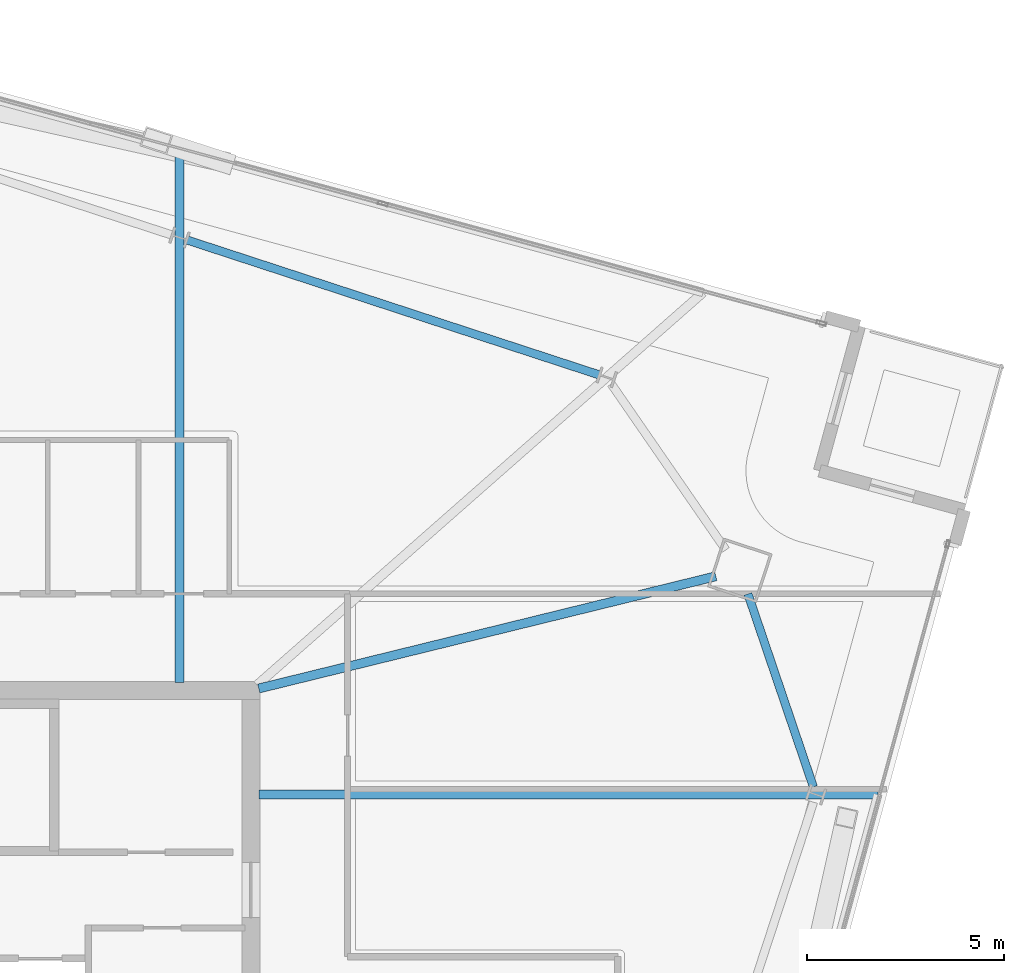
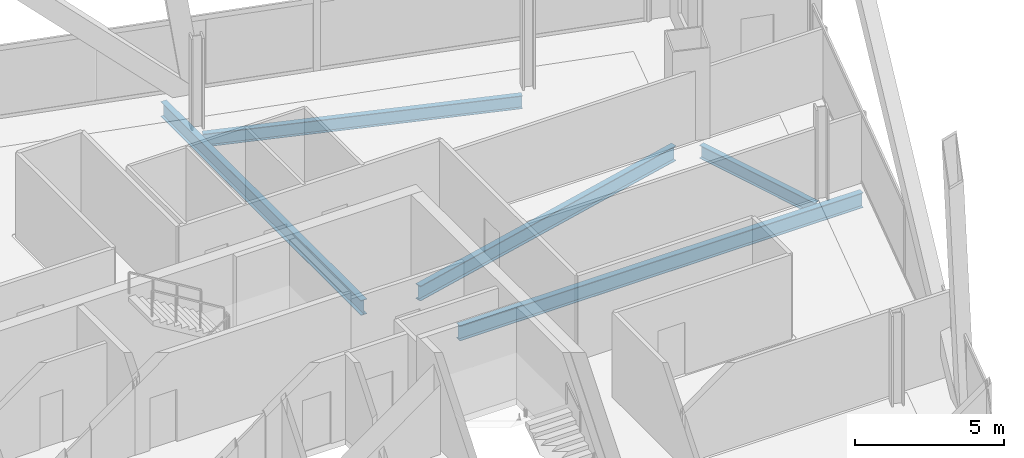
# One storey, part 15 of 26: 5 beams.
"""IFC4 building model written with IfcOpenShell, lengths in metres."""

from ifc_helpers import new_model, si_unit, direction, frame, origin, origin_2d, place, context, subcontext, project, spatial, i_section, extrude, material, material_profile, profile_set, type_object, element, save


model = new_model("IFC4")

# Units and contexts
model_context = context("Model", 3, precision=1e-05, world=origin(), true_north=direction((0.0, 1.0)))
body_context = subcontext(model_context, "Body", "Model", "MODEL_VIEW")
ifc_project = project(units=[si_unit("LENGTHUNIT", "METRE"), si_unit("AREAUNIT", "SQUARE_METRE"), si_unit("VOLUMEUNIT", "CUBIC_METRE"), si_unit("PLANEANGLEUNIT", "RADIAN"), si_unit("MASSUNIT", "GRAM", prefix="KILO")], contexts=[model_context])

# Site, building, storey
site_placement = place(None, origin())
site = spatial("IfcSite", under=ifc_project, at=site_placement, CompositionType="ELEMENT")
building_placement = place(site_placement, origin())
building = spatial("IfcBuilding", under=site, at=building_placement, Name="Haldenkirk Collegiate Tower", CompositionType="ELEMENT")
storey_placement = place(building_placement, frame((0.0, 0.0, 278.699951171875)))
storey = spatial("IfcBuildingStorey", under=building, at=storey_placement, Name="L70", CompositionType="ELEMENT", Elevation=278.699951171875)

# Beams
ifc_material = material(Name="Steel ASTM A992 Grade 50", Category="steel")
ifc_material_profile_1 = material_profile(ifc_material, i_section(OverallWidth=0.22998046875, OverallDepth=0.616943359375, WebThickness=0.01318359375, FlangeThickness=0.022216796875, at=origin_2d()), Name="W24X94")
ifc_profile_set_1 = profile_set([ifc_material_profile_1], Name="Steel ASTM A992 Grade 50")
beam_type_1 = type_object("IfcBeamType", Name="BM-GIRDER-W24X94", PredefinedType="BEAM", material=ifc_profile_set_1)
beam_1_placement = place(storey_placement, frame((56.783935546875, 36.893310546875, -0.578369140625), z_axis=(-0.971153636509, -0.238454637815, 0.0), x_axis=(0.238454637815, -0.971153636509, 0.0)))
element("IfcBeam", 1, at=beam_1_placement, inside=storey, type_object=beam_type_1, Name="L70 primary floor girder 02", PredefinedType="BEAM", context=body_context, shape_type="SweptSolid", body=[
    extrude(i_section(OverallWidth=0.22998046875, OverallDepth=0.616943359375, WebThickness=0.01318359375, FlangeThickness=0.022216796875, at=origin_2d()), origin(), (0.0, 0.0, 1.0), 11.9287109375),
])
beam_2_placement = place(storey_placement, frame((60.891357421875, 31.360107421875, -0.578369140625), z_axis=(-1.0, 0.0, 0.0), x_axis=(0.0, -1.0, 0.0)))
element("IfcBeam", 2, at=beam_2_placement, inside=storey, type_object=beam_type_1, Name="L70 primary floor girder 07", PredefinedType="BEAM", context=body_context, shape_type="SweptSolid", body=[
    extrude(i_section(OverallWidth=0.22998046875, OverallDepth=0.616943359375, WebThickness=0.01318359375, FlangeThickness=0.022216796875, at=origin_2d()), origin(), (0.0, 0.0, 1.0), 15.686279296875),
])
beam_3_placement = place(storey_placement, frame((43.18994140625, 47.702880859375, -0.578369140625), z_axis=(0.0, -1.0, 0.0), x_axis=(1.0, 0.0, 0.0)))
element("IfcBeam", 3, at=beam_3_placement, inside=storey, type_object=beam_type_1, Name="L70 primary floor girder 09", PredefinedType="BEAM", context=body_context, shape_type="SweptSolid", body=[
    extrude(i_section(OverallWidth=0.22998046875, OverallDepth=0.616943359375, WebThickness=0.01318359375, FlangeThickness=0.022216796875, at=origin_2d()), origin(), (0.0, 0.0, 1.0), 13.497802734375),
])
ifc_material_profile_2 = material_profile(ifc_material, i_section(OverallWidth=0.2099609375, OverallDepth=0.537109375, WebThickness=0.010986328125, FlangeThickness=0.017333984375, at=origin_2d()), Name="W21X68")
ifc_profile_set_2 = profile_set([ifc_material_profile_2], Name="Steel ASTM A992 Grade 50")
beam_type_2 = type_object("IfcBeamType", Name="BM-SPANDREL-W21X68", PredefinedType="SPANDREL", material=ifc_profile_set_2)
beam_4_placement = place(storey_placement, frame((59.258544921875, 31.5517578125, -0.538330078125), z_axis=(-0.321225245884, 0.947002820168, 0.0), x_axis=(-0.947002820168, -0.321225245884, 0.0)))
element("IfcBeam", 4, at=beam_4_placement, inside=storey, type_object=beam_type_2, Name="L70 perimeter spandrel beam 04", PredefinedType="SPANDREL", context=body_context, shape_type="SweptSolid", body=[
    extrude(i_section(OverallWidth=0.2099609375, OverallDepth=0.537109375, WebThickness=0.010986328125, FlangeThickness=0.017333984375, at=origin_2d()), origin(), (0.0, 0.0, 1.0), 5.1689453125),
])
beam_5_placement = place(storey_placement, frame((53.825439453125, 41.99951171875, -0.538330078125), z_axis=(-0.950402144652, 0.311023734531, 0.0), x_axis=(-0.311023734531, -0.950402144652, 0.0)))
element("IfcBeam", 5, at=beam_5_placement, inside=storey, type_object=beam_type_2, Name="L70 perimeter spandrel beam 06", PredefinedType="SPANDREL", context=body_context, shape_type="SweptSolid", body=[
    extrude(i_section(OverallWidth=0.2099609375, OverallDepth=0.537109375, WebThickness=0.010986328125, FlangeThickness=0.017333984375, at=origin_2d()), origin(), (0.0, 0.0, 1.0), 10.98779296875),
])

save(model, "model.ifc")
